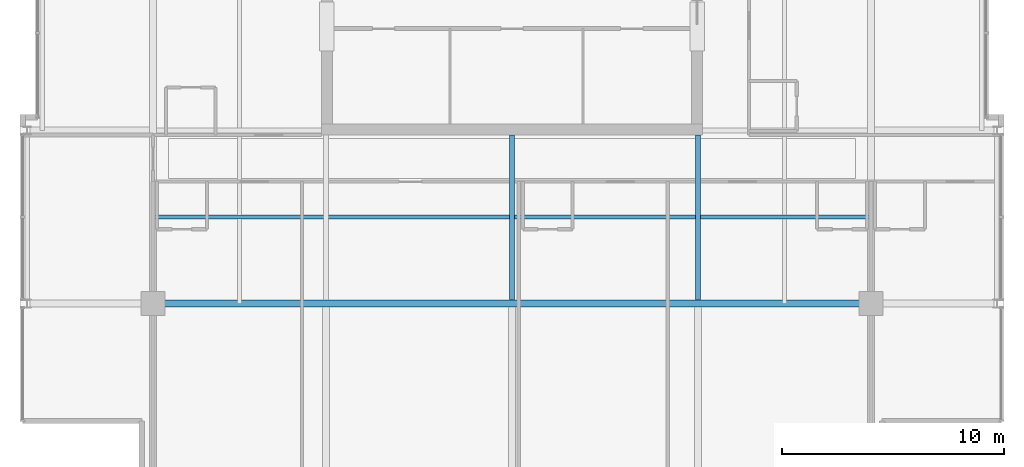
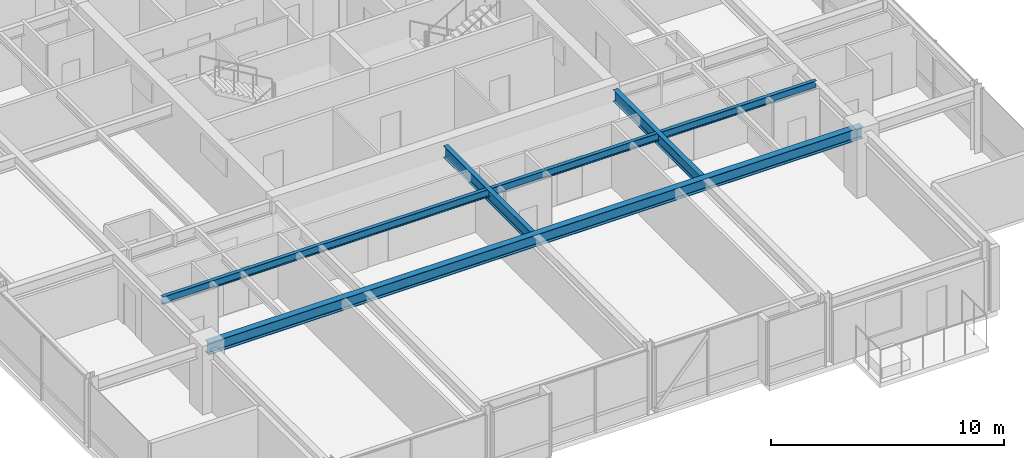
# One storey, part 9 of 32: 4 beams.
"""IFC4 building model written with IfcOpenShell, lengths in metres."""

from ifc_helpers import new_model, si_unit, direction, frame, origin, origin_2d, place, context, subcontext, project, spatial, i_section, extrude, material, material_profile, profile_set, type_object, element, save


model = new_model("IFC4")

# Units and contexts
model_context = context("Model", 3, precision=1e-05, world=origin(), true_north=direction((0.0, 1.0)))
body_context = subcontext(model_context, "Body", "Model", "MODEL_VIEW")
ifc_project = project(units=[si_unit("LENGTHUNIT", "METRE"), si_unit("AREAUNIT", "SQUARE_METRE"), si_unit("VOLUMEUNIT", "CUBIC_METRE"), si_unit("PLANEANGLEUNIT", "RADIAN"), si_unit("MASSUNIT", "GRAM", prefix="KILO")], contexts=[model_context])

# Site, building, storey
site_placement = place(None, origin())
site = spatial("IfcSite", under=ifc_project, at=site_placement, CompositionType="ELEMENT")
building_placement = place(site_placement, origin())
building = spatial("IfcBuilding", under=site, at=building_placement, Name="Drelvath Grand Hotel", CompositionType="ELEMENT")
storey_placement = place(building_placement, frame((0.0, 0.0, 241.10009765625)))
storey = spatial("IfcBuildingStorey", under=building, at=storey_placement, Name="L63", CompositionType="ELEMENT", Elevation=241.10009765625)

# Beams
ifc_material = material(Name="Steel ASTM A992 Gr 50", Category="steel")
ifc_material_profile_1 = material_profile(ifc_material, i_section(OverallWidth=0.177734375, OverallDepth=0.40673828125, WebThickness=0.0078125, FlangeThickness=0.0126953125, FilletRadius=0.014892578125, at=origin_2d()), Name="W16X40")
ifc_profile_set_1 = profile_set([ifc_material_profile_1], Name="Steel ASTM A992 Gr 50")
beam_type_1 = type_object("IfcBeamType", Name="Composite Floor Joist W16X40", PredefinedType="JOIST", material=ifc_profile_set_1)
beam_1_placement = place(storey_placement, frame((-16.199951171875, 14.699951171875, 3.136474609375), z_axis=(1.0, 0.0, 0.0), x_axis=(0.0, 1.0, 0.0)))
element("IfcBeam", 1, at=beam_1_placement, inside=storey, type_object=beam_type_1, Name="L63 Floor Joist J1", PredefinedType="JOIST", context=body_context, shape_type="SweptSolid", body=[
    extrude(i_section(OverallWidth=0.177734375, OverallDepth=0.40673828125, WebThickness=0.0078125, FlangeThickness=0.0126953125, FilletRadius=0.014892578125, at=origin_2d()), origin(), (0.0, 0.0, 1.0), 32.39990234375),
])
ifc_material_profile_2 = material_profile(ifc_material, i_section(OverallWidth=0.323974609375, OverallDepth=0.611083984375, WebThickness=0.0126953125, FlangeThickness=0.01904296875, FilletRadius=0.02197265625, at=origin_2d()), Name="W24X104")
ifc_profile_set_2 = profile_set([ifc_material_profile_2], Name="Steel ASTM A992 Gr 50")
beam_type_2 = type_object("IfcBeamType", Name="Primary Floor Girder W24X104", PredefinedType="BEAM", material=ifc_profile_set_2)
beam_2_placement = place(storey_placement, frame((-16.199951171875, 10.800048828125, 3.034423828125), z_axis=(1.0, 0.0, 0.0), x_axis=(0.0, 1.0, 0.0)))
element("IfcBeam", 2, at=beam_2_placement, inside=storey, type_object=beam_type_2, Name="L63 Mega Ring Girder South", PredefinedType="BEAM", context=body_context, shape_type="SweptSolid", body=[
    extrude(i_section(OverallWidth=0.323974609375, OverallDepth=0.611083984375, WebThickness=0.0126953125, FlangeThickness=0.01904296875, FilletRadius=0.02197265625, at=origin_2d()), origin(), (0.0, 0.0, 1.0), 32.39990234375),
])
ifc_material_profile_3 = material_profile(ifc_material, i_section(OverallWidth=0.228271484375, OverallDepth=0.607666015625, WebThickness=0.01123046875, FlangeThickness=0.017333984375, FilletRadius=0.02001953125, at=origin_2d()), Name="W24X76")
ifc_profile_set_3 = profile_set([ifc_material_profile_3], Name="Steel ASTM A992 Gr 50")
beam_type_3 = type_object("IfcBeamType", Name="Primary Floor Girder W24X76", PredefinedType="BEAM", material=ifc_profile_set_3)
for number, where, z_axis, x_axis, name in (
    (3, (0.0, 10.9619140625, 3.0361328125), (0.0, 1.0, 0.0), (-1.0, 0.0, 0.0), "L63 South Core Tie 5"),
    (4, (8.39990234375, 10.9619140625, 3.0361328125), (0.0, 1.0, 0.0), (-1.0, 0.0, 0.0), "L63 South Core Tie 6"),
):
    element("IfcBeam", number, at=place(storey_placement, frame(where, z_axis=z_axis, x_axis=x_axis)), inside=storey, type_object=beam_type_3, Name=name, PredefinedType="BEAM", context=body_context, shape_type="SweptSolid", body=[
        extrude(i_section(OverallWidth=0.228271484375, OverallDepth=0.607666015625, WebThickness=0.01123046875, FlangeThickness=0.017333984375, FilletRadius=0.02001953125, at=origin_2d()), origin(), (0.0, 0.0, 1.0), 7.43798828125),
    ])

save(model, "model.ifc")
